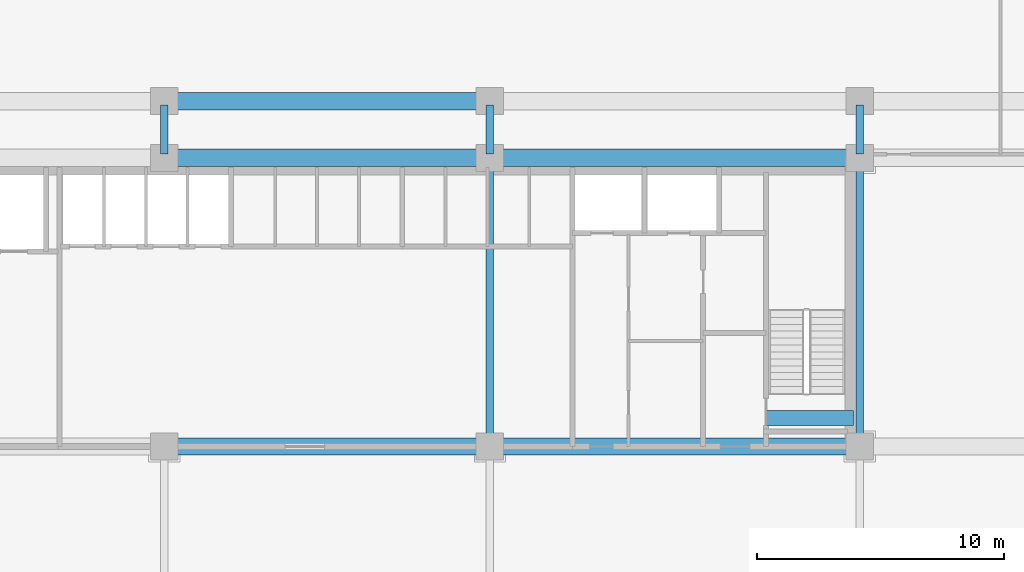
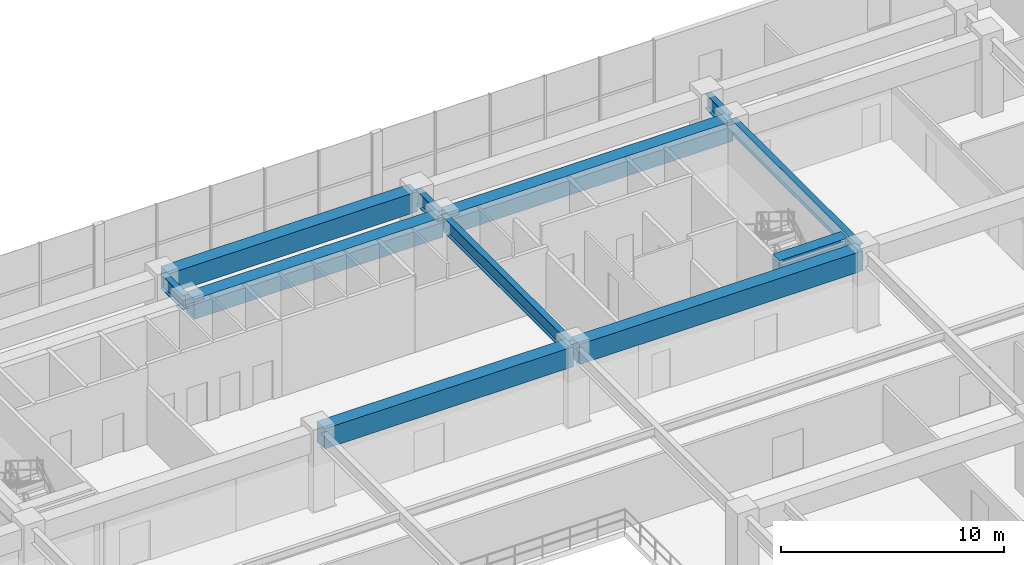
# One storey, part 9 of 24: 11 beams.
"""IFC4 building model written with IfcOpenShell, lengths in metres."""

from ifc_helpers import new_model, si_unit, direction, frame, origin, origin_2d, place, context, subcontext, project, spatial, rectangle, i_section, extrude, source, transform, mapped, material, material_profile, profile_set, type_object, element, save


model = new_model("IFC4")

# Units and contexts
model_context = context("Model", 3, precision=1e-05, world=origin(), true_north=direction((0.0, 1.0)))
body_context = subcontext(model_context, "Body", "Model", "MODEL_VIEW")
ifc_project = project(units=[si_unit("LENGTHUNIT", "METRE"), si_unit("AREAUNIT", "SQUARE_METRE"), si_unit("VOLUMEUNIT", "CUBIC_METRE"), si_unit("PLANEANGLEUNIT", "RADIAN"), si_unit("MASSUNIT", "GRAM", prefix="KILO")], contexts=[model_context])

# Site, building, storey
site_placement = place(None, origin())
site = spatial("IfcSite", under=ifc_project, at=site_placement, CompositionType="ELEMENT")
building_placement = place(site_placement, origin())
building = spatial("IfcBuilding", under=site, at=building_placement, Name="Trelvane Seafront Commons", CompositionType="ELEMENT")
storey_placement = place(building_placement, frame((0.0, 0.0, 9.699951171875)))
storey = spatial("IfcBuildingStorey", under=building, at=storey_placement, Name="L02", CompositionType="ELEMENT", Elevation=9.699951171875)

# Beams
ifc_material_1 = material(Name="Concrete C60/75", Category="concrete")
ifc_material_profile_1 = material_profile(ifc_material_1, rectangle(XDim=0.60009765625, YDim=0.89990234375, at=origin_2d()), Name="RC-600x900")
ifc_profile_set_1 = profile_set([ifc_material_profile_1], Name="Concrete C60/75")
beam_type_1 = type_object("IfcBeamType", Name="STR-LNT-RC600x900", PredefinedType="LINTEL", material=ifc_profile_set_1)
shared_shape_1 = source(origin(), body_context, "Body", "SweptSolid", [
    extrude(rectangle(XDim=0.60009765625, YDim=0.89990234375, at=origin_2d()), origin(), (0.0, 0.0, 1.0), 3.550048828125),
])
beam_placement = place(storey_placement, frame((55.0, 34.550048828125, 3.75), z_axis=(1.0, 0.0, 0.0), x_axis=(0.0, 1.0, 0.0)))
element("IfcBeam", 1, at=beam_placement, inside=storey, type_object=beam_type_1, Name="L02 Core Coupling Lintel Beam CB-72", PredefinedType="LINTEL", context=body_context, shape_type="MappedRepresentation", body=[
    mapped(shared_shape_1, transform((0.0, 0.0, 0.0), x_axis=(1.0, 0.0, 0.0), y_axis=(0.0, 1.0, 0.0), z_axis=(0.0, 0.0, 1.0), scale=1.0)),
])
ifc_material_2 = material(Name="Concrete C50/60", Category="concrete")
ifc_material_profile_2 = material_profile(ifc_material_2, rectangle(XDim=0.699951171875, YDim=1.10009765625, at=origin_2d()), Name="RC-700x1100")
ifc_profile_set_2 = profile_set([ifc_material_profile_2], Name="Concrete C50/60")
beam_type_2 = type_object("IfcBeamType", Name="STR-TBM-RC700x1100", PredefinedType="T_BEAM", material=ifc_profile_set_2)
shared_shape_2 = source(origin(), body_context, "Body", "SweptSolid", [
    extrude(rectangle(XDim=0.699951171875, YDim=1.10009765625, at=origin_2d()), origin(), (0.0, 0.0, 1.0), 14.699951171875),
])
for number, where, z_axis, x_axis, name in (
    (2, (43.949951171875, 33.39990234375, 3.650146484375), (1.0, 0.0, 0.0), (0.0, 1.0, 0.0), "L02 Primary Girder G-17"),
    (3, (43.949951171875, 45.10009765625, 3.650146484375), (1.0, 0.0, 0.0), (0.0, 1.0, 0.0), "L02 Primary Girder G-23"),
):
    element("IfcBeam", number, at=place(storey_placement, frame(where, z_axis=z_axis, x_axis=x_axis)), inside=storey, type_object=beam_type_2, Name=name, PredefinedType="T_BEAM", context=body_context, shape_type="MappedRepresentation", body=[
        mapped(shared_shape_2, transform((0.0, 0.0, 0.0), x_axis=(1.0, 0.0, 0.0), y_axis=(0.0, 1.0, 0.0), z_axis=(0.0, 0.0, 1.0), scale=1.0)),
    ])
shared_shape_3 = source(origin(), body_context, "Body", "SweptSolid", [
    extrude(rectangle(XDim=0.699951171875, YDim=1.10009765625, at=origin_2d()), origin(), (0.0, 0.0, 1.0), 12.89990234375),
])
for number, where, z_axis, x_axis, name in (
    (4, (30.75, 33.39990234375, 3.650146484375), (1.0, 0.0, 0.0), (0.0, 1.0, 0.0), "L02 Primary Girder G-16"),
    (5, (30.75, 45.10009765625, 3.650146484375), (1.0, 0.0, 0.0), (0.0, 1.0, 0.0), "L02 Primary Girder G-22"),
    (6, (30.75, 47.39990234375, 3.650146484375), (1.0, 0.0, 0.0), (0.0, 1.0, 0.0), "L02 Primary Girder G-28"),
):
    element("IfcBeam", number, at=place(storey_placement, frame(where, z_axis=z_axis, x_axis=x_axis)), inside=storey, type_object=beam_type_2, Name=name, PredefinedType="T_BEAM", context=body_context, shape_type="MappedRepresentation", body=[
        mapped(shared_shape_3, transform((0.0, 0.0, 0.0), x_axis=(1.0, 0.0, 0.0), y_axis=(0.0, 1.0, 0.0), z_axis=(0.0, 0.0, 1.0), scale=1.0)),
    ])
ifc_material_3 = material(Name="Steel SM355 (S355)", Category="steel")
ifc_material_profile_3 = material_profile(ifc_material_3, i_section(OverallWidth=0.300048828125, OverallDepth=0.800048828125, WebThickness=0.013916015625, FlangeThickness=0.02587890625, at=origin_2d()), Name="H-800x300x14x26")
ifc_profile_set_3 = profile_set([ifc_material_profile_3], Name="Steel SM355 (S355)")
beam_type_3 = type_object("IfcBeamType", Name="STR-BM-H800", PredefinedType="BEAM", material=ifc_profile_set_3)
shared_shape_4 = source(origin(), body_context, "Body", "SweptSolid", [
    extrude(i_section(OverallWidth=0.300048828125, OverallDepth=0.800048828125, WebThickness=0.013916015625, FlangeThickness=0.02587890625, at=origin_2d()), origin(), (0.0, 0.0, 1.0), 11.39990234375),
])
for number, where, z_axis, x_axis, name in (
    (7, (43.800048828125, 33.550048828125, 3.800048828125), (0.0, 1.0, 0.0), (-1.0, 0.0, 0.0), "L02 Primary Girder G-49"),
    (8, (58.800048828125, 33.550048828125, 3.800048828125), (0.0, 1.0, 0.0), (-1.0, 0.0, 0.0), "L02 Primary Girder G-53"),
):
    element("IfcBeam", number, at=place(storey_placement, frame(where, z_axis=z_axis, x_axis=x_axis)), inside=storey, type_object=beam_type_3, Name=name, PredefinedType="BEAM", context=body_context, shape_type="MappedRepresentation", body=[
        mapped(shared_shape_4, transform((0.0, 0.0, 0.0), x_axis=(1.0, 0.0, 0.0), y_axis=(0.0, 1.0, 0.0), z_axis=(0.0, 0.0, 1.0), scale=1.0)),
    ])
shared_shape_5 = source(origin(), body_context, "Body", "SweptSolid", [
    extrude(i_section(OverallWidth=0.300048828125, OverallDepth=0.800048828125, WebThickness=0.013916015625, FlangeThickness=0.02587890625, at=origin_2d()), origin(), (0.0, 0.0, 1.0), 2.0),
])
for number, where, z_axis, x_axis, name in (
    (9, (30.60009765625, 45.25, 3.800048828125), (0.0, 1.0, 0.0), (-1.0, 0.0, 0.0), "L02 Primary Girder G-46"),
    (10, (43.800048828125, 45.25, 3.800048828125), (0.0, 1.0, 0.0), (-1.0, 0.0, 0.0), "L02 Primary Girder G-50"),
    (11, (58.800048828125, 45.25, 3.800048828125), (0.0, 1.0, 0.0), (-1.0, 0.0, 0.0), "L02 Primary Girder G-54"),
):
    element("IfcBeam", number, at=place(storey_placement, frame(where, z_axis=z_axis, x_axis=x_axis)), inside=storey, type_object=beam_type_3, Name=name, PredefinedType="BEAM", context=body_context, shape_type="MappedRepresentation", body=[
        mapped(shared_shape_5, transform((0.0, 0.0, 0.0), x_axis=(1.0, 0.0, 0.0), y_axis=(0.0, 1.0, 0.0), z_axis=(0.0, 0.0, 1.0), scale=1.0)),
    ])

save(model, "model.ifc")
